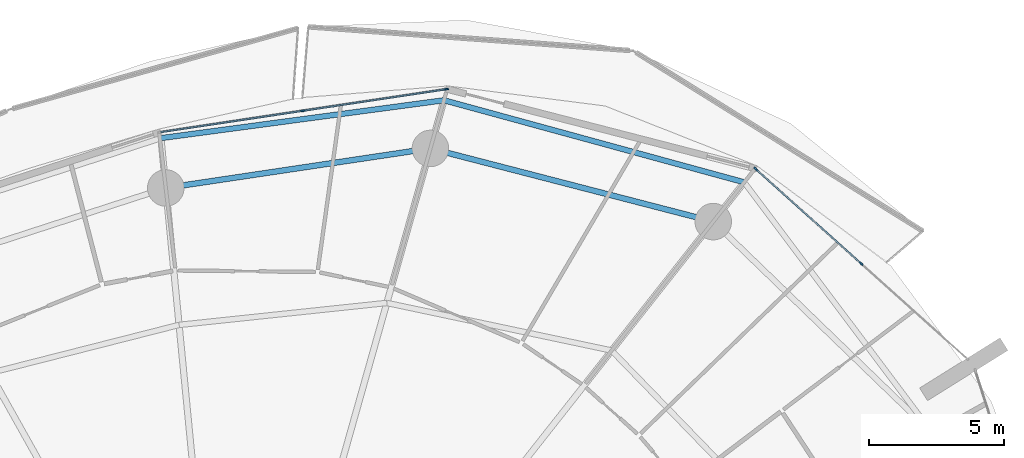
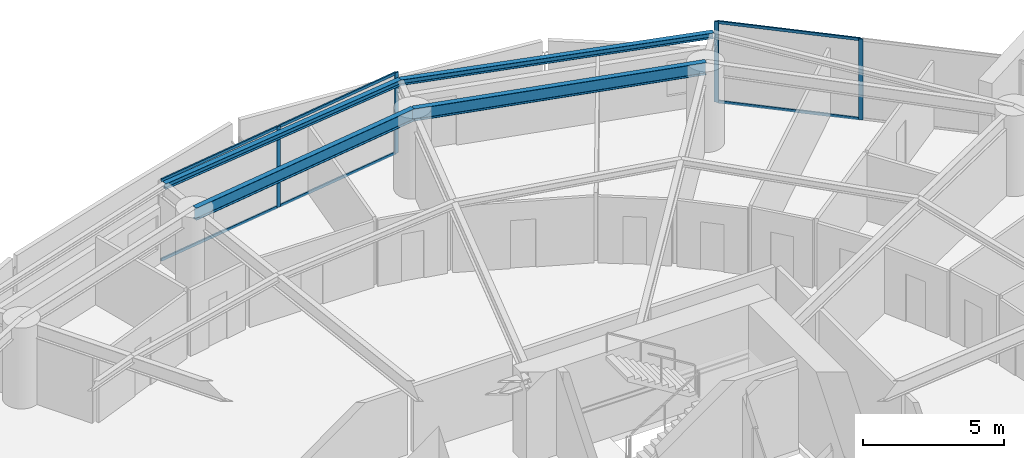
# One storey, part 16 of 31: 10 members, 4 beams, 2 elements without a shape of their own.
"""IFC4 building model written with IfcOpenShell, lengths in metres."""

import ifcopenshell
import ifcopenshell.guid

model = None  # the IFC model being written
_history = None  # IfcOwnerHistory: only IFC2X3 demands one
_inside = {}  # id of a spatial element -> (the spatial element, [elements in it])
_under = {}  # id of a project, library or spatial element -> (it, [spatial elements below it])
_declared = {}  # id of a project -> (the project, [libraries it declares])
_typed = {}  # id of a type object -> (the type object, [elements of that type])
_made_of = {}  # id of a material, layer set ... -> (it, [elements and type objects made of it])


def new_model(schema):
    """Start an empty IFC model of exactly this schema.

    Asked for "IFC4X3", IfcOpenShell would pick the latest addendum, in which some entities
    have other attributes; the version numbers below select the first issue.
    IFC2X3 requires an IfcOwnerHistory on every rooted entity: one is made here for all.
    """
    global model, _history
    if schema == "IFC4X3":
        model = ifcopenshell.file(schema_version=(4, 3, 0, 0))
    else:
        model = ifcopenshell.file(schema=schema)
    _inside.clear()
    _under.clear()
    _declared.clear()
    _typed.clear()
    _made_of.clear()
    _history = None
    if model.schema == "IFC2X3":
        org = make("IfcOrganization", Name="unknown")
        user = make(
            "IfcPersonAndOrganization",
            ThePerson=make("IfcPerson", FamilyName="unknown"),
            TheOrganization=org,
        )
        app = make(
            "IfcApplication",
            ApplicationDeveloper=org,
            Version="unknown",
            ApplicationFullName="unknown",
            ApplicationIdentifier="unknown",
        )
        _history = make(
            "IfcOwnerHistory",
            OwningUser=user,
            OwningApplication=app,
            ChangeAction="ADDED",
            CreationDate=0,
        )
    return model


def make(cls, **values):
    """One entity of the class cls with the attributes given. An attribute that is None is left unset."""
    return model.create_entity(
        cls, **{name: value for name, value in values.items() if value is not None}
    )


def rooted(cls, **values):
    """An entity with a GlobalId (a new one), such as an element, a storey or a relation."""
    return make(cls, GlobalId=ifcopenshell.guid.new(), OwnerHistory=_history, **values)


def si_unit(unit_type, name, prefix=None):
    """IfcSIUnit, for example si_unit("LENGTHUNIT", "METRE", prefix="MILLI")."""
    return make("IfcSIUnit", UnitType=unit_type, Prefix=prefix, Name=name)


def assignment(units):
    """IfcUnitAssignment: the units of a project."""
    return None if units is None else make("IfcUnitAssignment", Units=units)


def point(xyz):
    """IfcCartesianPoint."""
    return None if xyz is None else make("IfcCartesianPoint", Coordinates=xyz)


def direction(xyz):
    """IfcDirection."""
    return None if xyz is None else make("IfcDirection", DirectionRatios=xyz)


def frame(location, z_axis=None, x_axis=None):
    """IfcAxis2Placement3D, a coordinate frame: its origin and axes. An axis left out is left unset."""
    return make(
        "IfcAxis2Placement3D",
        Location=point(location),
        Axis=direction(z_axis),
        RefDirection=direction(x_axis),
    )


def frame_2d(location, x_axis=None):
    """IfcAxis2Placement2D, a coordinate frame in the plane: its origin and x axis."""
    return make(
        "IfcAxis2Placement2D", Location=point(location), RefDirection=direction(x_axis)
    )


def origin():
    """The frame at (0, 0, 0) with its axes left unset."""
    return frame((0.0, 0.0, 0.0))


def origin_2d():
    """The frame at (0, 0) in the plane with its x axis left unset."""
    return frame_2d((0.0, 0.0))


def place(relative_to, where):
    """IfcLocalPlacement: puts the frame where relative to a parent placement (None: the world)."""
    return make(
        "IfcLocalPlacement", PlacementRelTo=relative_to, RelativePlacement=where
    )


def context(
    kind, dimensions, precision=None, world=None, true_north=None, identifier=None
):
    """IfcGeometricRepresentationContext, for example the 3D "Model" context."""
    return make(
        "IfcGeometricRepresentationContext",
        ContextIdentifier=identifier,
        ContextType=kind,
        CoordinateSpaceDimension=dimensions,
        Precision=precision,
        WorldCoordinateSystem=world,
        TrueNorth=true_north,
    )


def subcontext(parent, identifier, kind, view, scale=None):
    """IfcGeometricRepresentationSubContext, for example "Body" below "Model"."""
    return make(
        "IfcGeometricRepresentationSubContext",
        ContextIdentifier=identifier,
        ContextType=kind,
        ParentContext=parent,
        TargetScale=scale,
        TargetView=view,
    )


def project(units=None, contexts=None):
    """IfcProject with its units and contexts."""
    return rooted(
        "IfcProject",
        Name="project",
        RepresentationContexts=contexts,
        UnitsInContext=assignment(units),
    )


def spatial(cls, under=None, at=None, **own):
    """A site, building, storey or space (cls), placed at a placement, below another one or the project."""
    s = rooted(cls, ObjectPlacement=at, **own)
    if under is not None:
        _under.setdefault(under.id(), (under, []))[1].append(s)
    return s


def profile(cls, at=None, kind="AREA", **sizes):
    """A parametric profile (cls). Its sizes go by their IFC names, for example OverallWidth=200.0."""
    return make(cls, ProfileType=kind, Position=at, **sizes)


def rectangle(**sizes):
    """IfcRectangleProfileDef."""
    return profile("IfcRectangleProfileDef", **sizes)


def i_section(**sizes):
    """IfcIShapeProfileDef."""
    return profile("IfcIShapeProfileDef", **sizes)


def extrude(swept, where, along, depth):
    """IfcExtrudedAreaSolid: the profile swept, set in the frame where, extruded along a direction by depth."""
    return make(
        "IfcExtrudedAreaSolid",
        SweptArea=swept,
        Position=where,
        ExtrudedDirection=direction(along),
        Depth=depth,
    )


def shape(context_of_items, identifier, shape_type, items):
    """IfcShapeRepresentation: the items that make up one representation, for example the "Body"."""
    return make(
        "IfcShapeRepresentation",
        ContextOfItems=context_of_items,
        RepresentationIdentifier=identifier,
        RepresentationType=shape_type,
        Items=items,
    )


def material(Name=None, Category=None):
    """IfcMaterial."""
    return make("IfcMaterial", Name=Name, Category=Category)


def layer(
    of_material, thickness, ventilated=None, Name=None, Category=None, Priority=None
):
    """IfcMaterialLayer: one layer of a wall or slab, of a material (None: an air gap)."""
    return make(
        "IfcMaterialLayer",
        Material=of_material,
        LayerThickness=thickness,
        IsVentilated=ventilated,
        Name=Name,
        Category=Category,
        Priority=Priority,
    )


def layer_set(layers, Name=None):
    """IfcMaterialLayerSet."""
    return make("IfcMaterialLayerSet", MaterialLayers=layers, LayerSetName=Name)


def material_profile(
    of_material, cross_section, Name=None, Category=None, Priority=None
):
    """IfcMaterialProfile: a cross section and its material."""
    return make(
        "IfcMaterialProfile",
        Name=Name,
        Material=of_material,
        Profile=cross_section,
        Priority=Priority,
        Category=Category,
    )


def profile_set(profiles, Name=None, composite=None):
    """IfcMaterialProfileSet."""
    return make(
        "IfcMaterialProfileSet",
        Name=Name,
        MaterialProfiles=profiles,
        CompositeProfile=composite,
    )


def made_of(thing, what):
    """Note that an element or type object is made of a material, layer set ...; save() writes the relation."""
    if what is not None:
        _made_of.setdefault(what.id(), (what, []))[1].append(thing)
    return thing


def type_object(cls, material=None, **own):
    """A type object (cls), such as IfcWallType, which elements share."""
    return made_of(rooted(cls, **own), material)


def element(
    cls,
    number,
    at=None,
    inside=None,
    cuts=None,
    type_object=None,
    material=None,
    context=None,
    identifier="Body",
    shape_type=None,
    held_by="IfcProductDefinitionShape",
    body=None,
    shapes=None,
    **own,
):
    """One element of the class cls, such as IfcWall. Its Tag is "e" and its number.

    at: its placement. inside: the storey or other place that contains it. cuts: it is an
    opening in that element (IfcRelVoidsElement). A single representation is given by context,
    identifier, shape_type and body (its items); several are given by shapes. held_by: the class
    of the entity that holds the representations. save() writes the other relations.
    """
    e = rooted(cls, Tag="e%d" % number, ObjectPlacement=at, **own)
    if body is not None:
        shapes = [shape(context, identifier, shape_type, body)]
    if shapes is not None:
        e.Representation = make(held_by, Representations=shapes)
    if inside is not None:
        _inside.setdefault(inside.id(), (inside, []))[1].append(e)
    if cuts is not None:
        rooted(
            "IfcRelVoidsElement", RelatingBuildingElement=cuts, RelatedOpeningElement=e
        )
    if type_object is not None:
        _typed.setdefault(type_object.id(), (type_object, []))[1].append(e)
    return made_of(e, material)


def aggregate(whole, parts):
    """IfcRelAggregates: a whole, such as a stair, and the parts it consists of."""
    return rooted("IfcRelAggregates", RelatingObject=whole, RelatedObjects=parts)


def save(model, path):
    """Write the relations noted so far, then the file.

    IfcRelAggregates (storeys below a building ...), IfcRelContainedInSpatialStructure (elements
    in a storey), IfcRelDefinesByType, IfcRelAssociatesMaterial and IfcRelDeclares: one each for
    every whole, place, type object, material and project.
    """
    for whole, parts in _under.values():
        aggregate(whole, parts)
    for where, things in _inside.values():
        rooted(
            "IfcRelContainedInSpatialStructure",
            RelatedElements=things,
            RelatingStructure=where,
        )
    for kind, things in _typed.values():
        rooted("IfcRelDefinesByType", RelatedObjects=things, RelatingType=kind)
    for what, things in _made_of.values():
        rooted("IfcRelAssociatesMaterial", RelatedObjects=things, RelatingMaterial=what)
    for by, libraries in _declared.values():
        rooted("IfcRelDeclares", RelatingContext=by, RelatedDefinitions=libraries)
    model.write(path)


model = new_model("IFC4")

# Units and contexts
model_context = context("Model", 3, precision=1e-05, world=origin(), true_north=direction((0.0, 1.0)))
body_context = subcontext(model_context, "Body", "Model", "MODEL_VIEW")
ifc_project = project(units=[si_unit("LENGTHUNIT", "METRE"), si_unit("AREAUNIT", "SQUARE_METRE"), si_unit("VOLUMEUNIT", "CUBIC_METRE"), si_unit("PLANEANGLEUNIT", "RADIAN"), si_unit("MASSUNIT", "GRAM", prefix="KILO")], contexts=[model_context])

# Site, building, storey
site_placement = place(None, origin())
site = spatial("IfcSite", under=ifc_project, at=site_placement, CompositionType="ELEMENT")
building_placement = place(site_placement, origin())
building = spatial("IfcBuilding", under=site, at=building_placement, Name="Kazma Halo Residences", CompositionType="ELEMENT")
storey_placement = place(building_placement, frame((0.0, 0.0, 33.89990234375)))
storey = spatial("IfcBuildingStorey", under=building, at=storey_placement, Name="L07", CompositionType="ELEMENT", Elevation=33.89990234375)

# Beams
ifc_material_1 = material(Name="Steel S355", Category="steel")
ifc_material_profile_1 = material_profile(ifc_material_1, i_section(OverallWidth=0.201904296875, OverallDepth=0.2470703125, WebThickness=0.00732421875, FlangeThickness=0.010986328125, FilletRadius=0.011962890625, at=origin_2d()), Name="W250x49.1")
ifc_profile_set_1 = profile_set([ifc_material_profile_1], Name="Steel S355")
beam_type_1 = type_object("IfcBeamType", Name="BM-BAL-CANT", PredefinedType="BEAM", material=ifc_profile_set_1)
beam_1_placement = place(storey_placement, frame((66.603515625, 65.598388671875, 3.376708984375), z_axis=(-0.964628474934, 0.263613173697, 0.0), x_axis=(-0.263613173697, -0.964628474934, 0.0)))
element("IfcBeam", 1, at=beam_1_placement, inside=storey, type_object=beam_type_1, Name="L07 wave-balcony tie beam 02", PredefinedType="BEAM", context=body_context, shape_type="SweptSolid", body=[
    extrude(i_section(OverallWidth=0.201904296875, OverallDepth=0.2470703125, WebThickness=0.00732421875, FlangeThickness=0.010986328125, FilletRadius=0.011962890625, at=origin_2d()), origin(), (0.0, 0.0, 1.0), 11.499755859375),
])
beam_2_placement = place(storey_placement, frame((55.510498046875, 68.6298828125, 3.376708984375), z_axis=(-0.991168183526, -0.13261082899, 0.0), x_axis=(0.13261082899, -0.991168183526, 0.0)))
element("IfcBeam", 2, at=beam_2_placement, inside=storey, type_object=beam_type_1, Name="L07 wave-balcony tie beam 03", PredefinedType="BEAM", context=body_context, shape_type="SweptSolid", body=[
    extrude(i_section(OverallWidth=0.201904296875, OverallDepth=0.2470703125, WebThickness=0.00732421875, FlangeThickness=0.010986328125, FilletRadius=0.011962890625, at=origin_2d()), origin(), (0.0, 0.0, 1.0), 10.551025390625),
])
ifc_material_profile_2 = material_profile(ifc_material_1, i_section(OverallWidth=0.208984375, OverallDepth=0.532958984375, WebThickness=0.01025390625, FlangeThickness=0.015625, FilletRadius=0.01611328125, at=origin_2d()), Name="W530x92")
ifc_profile_set_2 = profile_set([ifc_material_profile_2], Name="Steel S355")
beam_type_2 = type_object("IfcBeamType", Name="BM-SPN-W530", PredefinedType="BEAM", material=ifc_profile_set_2)
beam_3_placement = place(storey_placement, frame((65.458251953125, 64.145751953125, 3.233642578125), z_axis=(-0.968123558238, 0.250473104313, 0.0), x_axis=(-0.250473104313, -0.968123558238, 0.0)))
element("IfcBeam", 3, at=beam_3_placement, inside=storey, type_object=beam_type_2, Name="L07 perimeter ring beam 02", PredefinedType="BEAM", context=body_context, shape_type="SweptSolid", body=[
    extrude(i_section(OverallWidth=0.208984375, OverallDepth=0.532958984375, WebThickness=0.01025390625, FlangeThickness=0.015625, FilletRadius=0.01611328125, at=origin_2d()), origin(), (0.0, 0.0, 1.0), 10.7939453125),
])
beam_4_placement = place(storey_placement, frame((55.00830078125, 66.849365234375, 3.233642578125), z_axis=(-0.989033061974, -0.147694286693, 0.0), x_axis=(0.147694286693, -0.989033061974, 0.0)))
element("IfcBeam", 4, at=beam_4_placement, inside=storey, type_object=beam_type_2, Name="L07 perimeter ring beam 03", PredefinedType="BEAM", context=body_context, shape_type="SweptSolid", body=[
    extrude(i_section(OverallWidth=0.208984375, OverallDepth=0.532958984375, WebThickness=0.01025390625, FlangeThickness=0.015625, FilletRadius=0.01611328125, at=origin_2d()), origin(), (0.0, 0.0, 1.0), 9.885009765625),
])

# Curtain wall, members
ifc_material_2 = material(Name="Aluminium AW-6063 T6 and Triple-Silver Low-E Glass", Category="aluminium")
ifc_layer = layer(ifc_material_2, 0.159912109375)
ifc_layer_set = layer_set([ifc_layer], Name="Aluminium AW-6063 T6 and Triple-Silver Low-E Glass")
curtain_wall_type = type_object("IfcCurtainWallType", Name="CW-SYS-2", PredefinedType="NOTDEFINED", material=ifc_layer_set)
curtain_wall_1_placement = place(storey_placement, origin())
curtain_wall_1 = element("IfcCurtainWall", 5, at=curtain_wall_1_placement, inside=storey, type_object=curtain_wall_type, Name="L07 unitised curtain wall B01", PredefinedType="NOTDEFINED")
ifc_material_3 = material(Name="Aluminium AW-6063 T6", Category="aluminium")
ifc_material_profile_3 = material_profile(ifc_material_3, rectangle(XDim=0.06005859375, YDim=0.159912109375, at=origin_2d()), Name="CWM-60x160")
ifc_profile_set_3 = profile_set([ifc_material_profile_3], Name="Aluminium AW-6063 T6")
member_type_1 = type_object("IfcMemberType", Name="CW-SYS-2-MUL", PredefinedType="MULLION", material=ifc_profile_set_3)
member_1_placement = place(storey_placement, frame((70.92724609375, 62.590087890625, 0.0), z_axis=(0.0, 0.0, 1.0), x_axis=(-0.667821453854, -0.744321506993, 0.0)))
member_1 = element("IfcMember", 6, at=member_1_placement, type_object=member_type_1, Name="CWS-2 mullion 2", PredefinedType="MULLION", context=body_context, shape_type="SweptSolid", body=[
    extrude(rectangle(XDim=0.06005859375, YDim=0.159912109375, at=origin_2d()), origin(), (0.0, 0.0, 1.0), 3.5),
])
member_2_placement = place(storey_placement, frame((67.028076171875, 66.088623046875, 0.0), z_axis=(0.0, 0.0, 1.0), x_axis=(-0.667821453854, -0.744321506993, 0.0)))
member_2 = element("IfcMember", 7, at=member_2_placement, type_object=member_type_1, Name="CWS-2 mullion 3", PredefinedType="MULLION", context=body_context, shape_type="SweptSolid", body=[
    extrude(rectangle(XDim=0.06005859375, YDim=0.159912109375, at=origin_2d()), origin(), (0.0, 0.0, 1.0), 3.5),
])

curtain_wall_2_placement = place(storey_placement, origin())
curtain_wall_2 = element("IfcCurtainWall", 8, at=curtain_wall_2_placement, inside=storey, type_object=curtain_wall_type, Name="L07 unitised curtain wall B03", PredefinedType="NOTDEFINED")
member_3_placement = place(storey_placement, frame((55.596923828125, 69.037841796875, 0.0), z_axis=(0.0, 0.0, 1.0), x_axis=(0.148657272805, -0.988888777994, 0.0)))
member_3 = element("IfcMember", 9, at=member_3_placement, type_object=member_type_1, Name="CWS-2 mullion 1", PredefinedType="MULLION", context=body_context, shape_type="SweptSolid", body=[
    extrude(rectangle(XDim=0.06005859375, YDim=0.159912109375, at=origin_2d()), origin(), (0.0, 0.0, 1.0), 3.5),
])
member_4_placement = place(storey_placement, frame((50.3076171875, 68.24267578125, 0.0), z_axis=(0.0, 0.0, 1.0), x_axis=(0.148657272805, -0.988888777994, 0.0)))
member_4 = element("IfcMember", 10, at=member_4_placement, type_object=member_type_1, Name="CWS-2 mullion 2", PredefinedType="MULLION", context=body_context, shape_type="SweptSolid", body=[
    extrude(rectangle(XDim=0.06005859375, YDim=0.159912109375, at=origin_2d()), origin(), (0.0, 0.0, 1.0), 3.5),
])

# Member
ifc_material_profile_4 = material_profile(ifc_material_3, rectangle(XDim=0.06005859375, YDim=0.1201171875, at=origin_2d()), Name="CWT-60x120")
ifc_profile_set_4 = profile_set([ifc_material_profile_4], Name="Aluminium AW-6063 T6")
member_type_2 = type_object("IfcMemberType", Name="CW-SYS-2-TRN", PredefinedType="USERDEFINED", material=ifc_profile_set_4)
member_5_placement = place(storey_placement, frame((70.905029296875, 62.6103515625, 0.030029296875), z_axis=(-0.744329408538, 0.66781264707, 0.0), x_axis=(-0.66781264707, -0.744329408538, 0.0)))
member_5 = element("IfcMember", 11, at=member_5_placement, type_object=member_type_2, Name="CWS-2 transom 2.1", ObjectType="TRANSOM", PredefinedType="USERDEFINED", context=body_context, shape_type="SweptSolid", body=[
    extrude(rectangle(XDim=0.06005859375, YDim=0.1201171875, at=origin_2d()), origin(), (0.0, 0.0, 1.0), 5.178466796875),
])

member_6_placement = place(storey_placement, frame((70.905029296875, 62.6103515625, 3.47021484375), z_axis=(-0.744329408538, 0.66781264707, 0.0), x_axis=(-0.66781264707, -0.744329408538, 0.0)))
member_6 = element("IfcMember", 12, at=member_6_placement, type_object=member_type_2, Name="CWS-2 transom 2.2", ObjectType="TRANSOM", PredefinedType="USERDEFINED", context=body_context, shape_type="SweptSolid", body=[
    extrude(rectangle(XDim=0.06005859375, YDim=0.1201171875, at=origin_2d()), origin(), (0.0, 0.0, 1.0), 5.178466796875),
])

aggregate(curtain_wall_1, [member_1, member_2, member_5, member_6])

member_7_placement = place(storey_placement, frame((55.5673828125, 69.033203125, 0.030029296875), z_axis=(-0.988890934274, -0.148642928222, 0.0), x_axis=(0.148642928222, -0.988890934274, 0.0)))
member_7 = element("IfcMember", 13, at=member_7_placement, type_object=member_type_2, Name="CWS-2 transom 1.1", ObjectType="TRANSOM", PredefinedType="USERDEFINED", context=body_context, shape_type="SweptSolid", body=[
    extrude(rectangle(XDim=0.06005859375, YDim=0.1201171875, at=origin_2d()), origin(), (0.0, 0.0, 1.0), 5.288818359375),
])

member_8_placement = place(storey_placement, frame((55.5673828125, 69.033203125, 3.47021484375), z_axis=(-0.988890934274, -0.148642928222, 0.0), x_axis=(0.148642928222, -0.988890934274, 0.0)))
member_8 = element("IfcMember", 14, at=member_8_placement, type_object=member_type_2, Name="CWS-2 transom 1.2", ObjectType="TRANSOM", PredefinedType="USERDEFINED", context=body_context, shape_type="SweptSolid", body=[
    extrude(rectangle(XDim=0.06005859375, YDim=0.1201171875, at=origin_2d()), origin(), (0.0, 0.0, 1.0), 5.288818359375),
])

member_9_placement = place(storey_placement, frame((50.278076171875, 68.238037109375, 0.030029296875), z_axis=(-0.98889195415, -0.148636143041, 0.0), x_axis=(0.148636143041, -0.98889195415, 0.0)))
member_9 = element("IfcMember", 15, at=member_9_placement, type_object=member_type_2, Name="CWS-2 transom 2.1", ObjectType="TRANSOM", PredefinedType="USERDEFINED", context=body_context, shape_type="SweptSolid", body=[
    extrude(rectangle(XDim=0.06005859375, YDim=0.1201171875, at=origin_2d()), origin(), (0.0, 0.0, 1.0), 5.2890625),
])

member_10_placement = place(storey_placement, frame((50.278076171875, 68.238037109375, 3.47021484375), z_axis=(-0.98889195415, -0.148636143041, 0.0), x_axis=(0.148636143041, -0.98889195415, 0.0)))
member_10 = element("IfcMember", 16, at=member_10_placement, type_object=member_type_2, Name="CWS-2 transom 2.2", ObjectType="TRANSOM", PredefinedType="USERDEFINED", context=body_context, shape_type="SweptSolid", body=[
    extrude(rectangle(XDim=0.06005859375, YDim=0.1201171875, at=origin_2d()), origin(), (0.0, 0.0, 1.0), 5.2890625),
])

aggregate(curtain_wall_2, [member_3, member_4, member_7, member_8, member_9, member_10])

save(model, "model.ifc")
